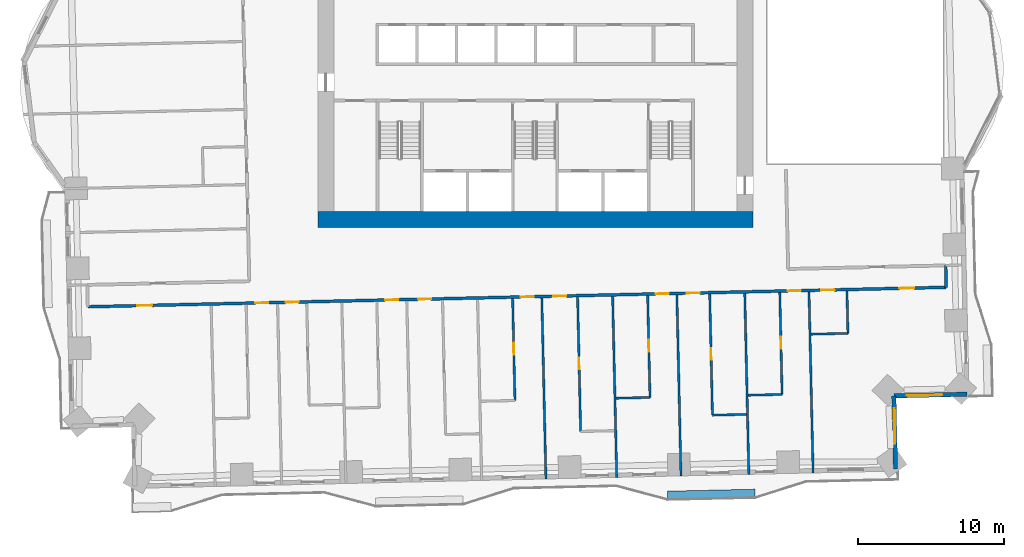
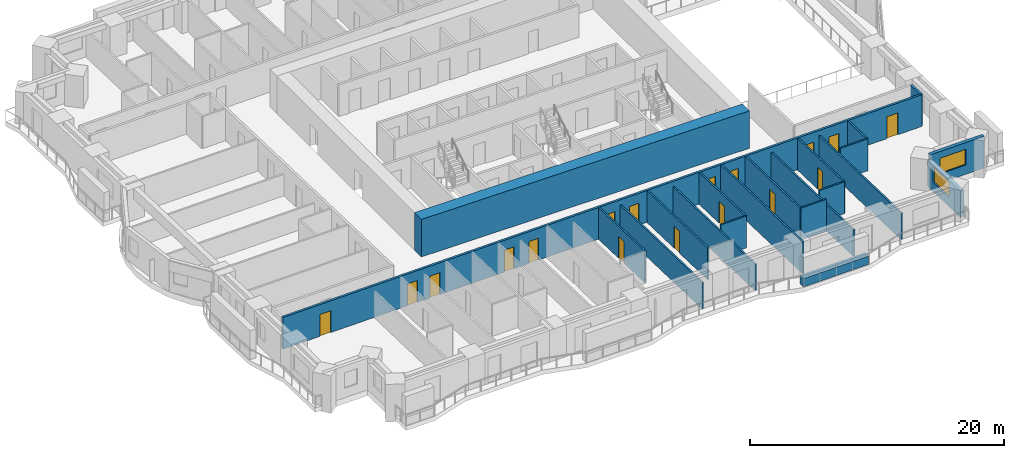
# One storey, part 7 of 16: 21 walls, 17 doors, 2 windows, 19 openings.
"""IFC4 building model written with IfcOpenShell, lengths in metres."""

from ifc_helpers import new_model, si_unit, direction, frame, frame_2d, origin, place, context, subcontext, project, spatial, rectangle, extrude, material, layer, layer_set, type_object, element, fill, save


model = new_model("IFC4")

# Units and contexts
model_context = context("Model", 3, precision=1e-05, world=origin(), true_north=direction((0.0, 1.0)))
body_context = subcontext(model_context, "Body", "Model", "MODEL_VIEW")
ifc_project = project(units=[si_unit("LENGTHUNIT", "METRE"), si_unit("AREAUNIT", "SQUARE_METRE"), si_unit("VOLUMEUNIT", "CUBIC_METRE"), si_unit("PLANEANGLEUNIT", "RADIAN"), si_unit("MASSUNIT", "GRAM", prefix="KILO")], contexts=[model_context])

# Site, building, storey
site_placement = place(None, origin())
site = spatial("IfcSite", under=ifc_project, at=site_placement, CompositionType="ELEMENT")
building_placement = place(site_placement, origin())
building = spatial("IfcBuilding", under=site, at=building_placement, Name="Mangrove Gate Tower", CompositionType="ELEMENT")
storey_placement = place(building_placement, frame((0.0, 0.0, 41.300048828125)))
storey = spatial("IfcBuildingStorey", under=building, at=storey_placement, Name="L09", CompositionType="ELEMENT", Elevation=41.300048828125)

# Wall
ifc_material_1 = material(Name="Concrete C70/85", Category="concrete")
ifc_layer_1 = layer(ifc_material_1, 1.10009765625)
ifc_layer_set_1 = layer_set([ifc_layer_1], Name="Core wall 1100 C70/85")
wall_type_1 = type_object("IfcWallType", Name="Core wall 1100 C70/85", PredefinedType="SHEAR", material=ifc_layer_set_1)
wall_1_placement = place(storey_placement, frame((-14.89990234375, -11.35009765625, 0.0), z_axis=(0.0, 0.0, 1.0), x_axis=(1.0, 0.0, 0.0)))
element("IfcWall", 1, at=wall_1_placement, inside=storey, type_object=wall_type_1, Name="WALL-L09-CORE-1", PredefinedType="SHEAR", context=body_context, shape_type="SweptSolid", body=[
    extrude(rectangle(XDim=29.7998046875, YDim=1.10009765625, at=frame_2d((14.89990234375, 0.0))), origin(), (0.0, 0.0, 1.0), 3.599853515625),
])

# Wall, openings, doors
ifc_material_2 = material(Name="Gypsum board on steel stud, EI 60", Category="steel")
ifc_layer_2 = layer(ifc_material_2, 0.199951171875)
ifc_layer_set_2 = layer_set([ifc_layer_2], Name="Corridor wall EI 60")
wall_type_2 = type_object("IfcWallType", Name="Corridor wall EI 60", PredefinedType="PARTITIONING", material=ifc_layer_set_2)
wall_2_placement = place(storey_placement, frame((-30.652099609375, -17.31298828125, 0.0), z_axis=(0.0, 0.0, 1.0), x_axis=(0.999742623764, 0.02268669719, 0.0)))
wall_2 = element("IfcWall", 2, at=wall_2_placement, inside=storey, type_object=wall_type_2, Name="WALL-L09-031", PredefinedType="PARTITIONING", context=body_context, shape_type="SweptSolid", body=[
    extrude(rectangle(XDim=58.80029296875, YDim=0.199951171875, at=frame_2d((29.400146484375, 0.0))), origin(), (0.0, 0.0, 1.0), 3.050048828125),
])
opening_1_placement = place(wall_2_placement, frame((3.406005859375, 0.0, 0.0)))
opening_1 = element("IfcOpeningElement", 3, at=opening_1_placement, cuts=wall_2, Name="Opening AD", PredefinedType="OPENING", context=body_context, shape_type="SweptSolid", body=[
    extrude(rectangle(XDim=1.0, YDim=2.10009765625, at=frame_2d((0.5, 1.050048828125))), frame((0.0, 0.10986328125, 0.0), z_axis=(0.0, -1.0, 0.0), x_axis=(1.0, 0.0, 0.0)), (0.0, 0.0, 1.0), 0.219970703125),
])
opening_2_placement = place(wall_2_placement, frame((11.47509765625, 0.0, 0.0)))
opening_2 = element("IfcOpeningElement", 4, at=opening_2_placement, cuts=wall_2, Name="Opening BD", PredefinedType="OPENING", context=body_context, shape_type="SweptSolid", body=[
    extrude(rectangle(XDim=0.89990234375, YDim=2.10009765625, at=frame_2d((0.449951171875, 1.050048828125))), frame((0.0, 0.10986328125, 0.0), z_axis=(0.0, -1.0, 0.0), x_axis=(1.0, 0.0, 0.0)), (0.0, 0.0, 1.0), 0.219970703125),
])
opening_3_placement = place(wall_2_placement, frame((13.550048828125, 0.0, 0.0)))
opening_3 = element("IfcOpeningElement", 5, at=opening_3_placement, cuts=wall_2, Name="Opening BD", PredefinedType="OPENING", context=body_context, shape_type="SweptSolid", body=[
    extrude(rectangle(XDim=0.89990234375, YDim=2.10009765625, at=frame_2d((0.449951171875, 1.050048828125))), frame((0.0, 0.10986328125, 0.0), z_axis=(0.0, -1.0, 0.0), x_axis=(1.0, 0.0, 0.0)), (0.0, 0.0, 1.0), 0.219970703125),
])
opening_4_placement = place(wall_2_placement, frame((20.375, 0.0, 0.0)))
opening_4 = element("IfcOpeningElement", 6, at=opening_4_placement, cuts=wall_2, Name="Opening BD", PredefinedType="OPENING", context=body_context, shape_type="SweptSolid", body=[
    extrude(rectangle(XDim=0.89990234375, YDim=2.10009765625, at=frame_2d((0.449951171875, 1.050048828125))), frame((0.0, 0.10986328125, 0.0), z_axis=(0.0, -1.0, 0.0), x_axis=(1.0, 0.0, 0.0)), (0.0, 0.0, 1.0), 0.219970703125),
])
opening_5_placement = place(wall_2_placement, frame((22.625, 0.0, 0.0)))
opening_5 = element("IfcOpeningElement", 7, at=opening_5_placement, cuts=wall_2, Name="Opening BD", PredefinedType="OPENING", context=body_context, shape_type="SweptSolid", body=[
    extrude(rectangle(XDim=0.89990234375, YDim=2.10009765625, at=frame_2d((0.449951171875, 1.050048828125))), frame((0.0, 0.10986328125, 0.0), z_axis=(0.0, -1.0, 0.0), x_axis=(1.0, 0.0, 0.0)), (0.0, 0.0, 1.0), 0.219970703125),
])
opening_6_placement = place(wall_2_placement, frame((29.64990234375, 0.0, 0.0)))
opening_6 = element("IfcOpeningElement", 8, at=opening_6_placement, cuts=wall_2, Name="Opening BD", PredefinedType="OPENING", context=body_context, shape_type="SweptSolid", body=[
    extrude(rectangle(XDim=0.89990234375, YDim=2.10009765625, at=frame_2d((0.449951171875, 1.050048828125))), frame((0.0, 0.10986328125, 0.0), z_axis=(0.0, -1.0, 0.0), x_axis=(1.0, 0.0, 0.0)), (0.0, 0.0, 1.0), 0.219970703125),
])
opening_7_placement = place(wall_2_placement, frame((31.875, 0.0, 0.0)))
opening_7 = element("IfcOpeningElement", 9, at=opening_7_placement, cuts=wall_2, Name="Opening BD", PredefinedType="OPENING", context=body_context, shape_type="SweptSolid", body=[
    extrude(rectangle(XDim=0.89990234375, YDim=2.10009765625, at=frame_2d((0.449951171875, 1.050048828125))), frame((0.0, 0.10986328125, 0.0), z_axis=(0.0, -1.0, 0.0), x_axis=(1.0, 0.0, 0.0)), (0.0, 0.0, 1.0), 0.219970703125),
])
opening_8_placement = place(wall_2_placement, frame((38.89990234375, 0.0, 0.0)))
opening_8 = element("IfcOpeningElement", 10, at=opening_8_placement, cuts=wall_2, Name="Opening BD", PredefinedType="OPENING", context=body_context, shape_type="SweptSolid", body=[
    extrude(rectangle(XDim=0.89990234375, YDim=2.10009765625, at=frame_2d((0.449951171875, 1.050048828125))), frame((0.0, 0.10986328125, 0.0), z_axis=(0.0, -1.0, 0.0), x_axis=(1.0, 0.0, 0.0)), (0.0, 0.0, 1.0), 0.219970703125),
])
opening_9_placement = place(wall_2_placement, frame((41.02490234375, 0.0, 0.0)))
opening_9 = element("IfcOpeningElement", 11, at=opening_9_placement, cuts=wall_2, Name="Opening BD", PredefinedType="OPENING", context=body_context, shape_type="SweptSolid", body=[
    extrude(rectangle(XDim=0.89990234375, YDim=2.10009765625, at=frame_2d((0.449951171875, 1.050048828125))), frame((0.0, 0.10986328125, 0.0), z_axis=(0.0, -1.0, 0.0), x_axis=(1.0, 0.0, 0.0)), (0.0, 0.0, 1.0), 0.219970703125),
])
opening_10_placement = place(wall_2_placement, frame((47.949951171875, 0.0, 0.0)))
opening_10 = element("IfcOpeningElement", 12, at=opening_10_placement, cuts=wall_2, Name="Opening BD", PredefinedType="OPENING", context=body_context, shape_type="SweptSolid", body=[
    extrude(rectangle(XDim=0.89990234375, YDim=2.10009765625, at=frame_2d((0.449951171875, 1.050048828125))), frame((0.0, 0.10986328125, 0.0), z_axis=(0.0, -1.0, 0.0), x_axis=(1.0, 0.0, 0.0)), (0.0, 0.0, 1.0), 0.219970703125),
])
opening_11_placement = place(wall_2_placement, frame((55.60009765625, 0.0, 0.0)))
opening_11 = element("IfcOpeningElement", 13, at=opening_11_placement, cuts=wall_2, Name="Opening AD", PredefinedType="OPENING", context=body_context, shape_type="SweptSolid", body=[
    extrude(rectangle(XDim=1.0, YDim=2.10009765625, at=frame_2d((0.5, 1.050048828125))), frame((0.0, 0.10986328125, 0.0), z_axis=(0.0, -1.0, 0.0), x_axis=(1.0, 0.0, 0.0)), (0.0, 0.0, 1.0), 0.219970703125),
])
opening_12_placement = place(wall_2_placement, frame((50.25, 0.0, 0.0)))
opening_12 = element("IfcOpeningElement", 14, at=opening_12_placement, cuts=wall_2, Name="Opening SD", PredefinedType="OPENING", context=body_context, shape_type="SweptSolid", body=[
    extrude(rectangle(XDim=0.89990234375, YDim=2.10009765625, at=frame_2d((0.449951171875, 1.050048828125))), frame((0.0, 0.10986328125, 0.0), z_axis=(0.0, -1.0, 0.0), x_axis=(1.0, 0.0, 0.0)), (0.0, 0.0, 1.0), 0.219970703125),
])
ifc_material_3 = material(Name="Timber door leaf", Category="wood")
door_type_1 = type_object("IfcDoorType", Name="Amenity door 1000", OperationType="SINGLE_SWING_LEFT", PredefinedType="DOOR", material=ifc_material_3)
door_1_placement = place(opening_1_placement, origin())
door_1 = element("IfcDoor", 15, at=door_1_placement, inside=storey, type_object=door_type_1, Name="DOOR-L09-KIT-c1a", OperationType="SINGLE_SWING_LEFT", OverallHeight=2.10009765625, OverallWidth=1.0, PredefinedType="DOOR", context=body_context, shape_type="SweptSolid", body=[
    extrude(rectangle(XDim=1.0, YDim=2.10009765625, at=frame_2d((0.5, 1.050048828125))), frame((0.0, 0.02490234375, 0.0), z_axis=(0.0, -1.0, 0.0), x_axis=(1.0, 0.0, 0.0)), (0.0, 0.0, 1.0), 0.050048828125),
])
fill(opening_1, door_1)
door_2_placement = place(opening_11_placement, origin())
door_2 = element("IfcDoor", 16, at=door_2_placement, inside=storey, type_object=door_type_1, Name="DOOR-L09-GAM-c3a", OperationType="SINGLE_SWING_RIGHT", OverallHeight=2.10009765625, OverallWidth=1.0, PredefinedType="DOOR", context=body_context, shape_type="SweptSolid", body=[
    extrude(rectangle(XDim=1.0, YDim=2.10009765625, at=frame_2d((0.5, 1.050048828125))), frame((0.0, 0.02490234375, 0.0), z_axis=(0.0, -1.0, 0.0), x_axis=(1.0, 0.0, 0.0)), (0.0, 0.0, 1.0), 0.050048828125),
])
fill(opening_11, door_2)
ifc_material_4 = material(Name="Timber door leaf", Category="wood")
door_type_2 = type_object("IfcDoorType", Name="Bedroom door 900", OperationType="SINGLE_SWING_LEFT", PredefinedType="DOOR", material=ifc_material_4)
door_3_placement = place(opening_2_placement, origin())
door_3 = element("IfcDoor", 17, at=door_3_placement, inside=storey, type_object=door_type_2, Name="DOOR-L09-BED-c101", OperationType="SINGLE_SWING_LEFT", OverallHeight=2.10009765625, OverallWidth=0.89990234375, PredefinedType="DOOR", context=body_context, shape_type="SweptSolid", body=[
    extrude(rectangle(XDim=0.89990234375, YDim=2.10009765625, at=frame_2d((0.449951171875, 1.050048828125))), frame((0.0, 0.02490234375, 0.0), z_axis=(0.0, -1.0, 0.0), x_axis=(1.0, 0.0, 0.0)), (0.0, 0.0, 1.0), 0.050048828125),
])
fill(opening_2, door_3)
door_4_placement = place(opening_3_placement, origin())
door_4 = element("IfcDoor", 18, at=door_4_placement, inside=storey, type_object=door_type_2, Name="DOOR-L09-BED-c102", OperationType="SINGLE_SWING_RIGHT", OverallHeight=2.10009765625, OverallWidth=0.89990234375, PredefinedType="DOOR", context=body_context, shape_type="SweptSolid", body=[
    extrude(rectangle(XDim=0.89990234375, YDim=2.10009765625, at=frame_2d((0.449951171875, 1.050048828125))), frame((0.0, 0.02490234375, 0.0), z_axis=(0.0, -1.0, 0.0), x_axis=(1.0, 0.0, 0.0)), (0.0, 0.0, 1.0), 0.050048828125),
])
fill(opening_3, door_4)
door_5_placement = place(opening_4_placement, origin())
door_5 = element("IfcDoor", 19, at=door_5_placement, inside=storey, type_object=door_type_2, Name="DOOR-L09-BED-c103", OperationType="SINGLE_SWING_LEFT", OverallHeight=2.10009765625, OverallWidth=0.89990234375, PredefinedType="DOOR", context=body_context, shape_type="SweptSolid", body=[
    extrude(rectangle(XDim=0.89990234375, YDim=2.10009765625, at=frame_2d((0.449951171875, 1.050048828125))), frame((0.0, 0.02490234375, 0.0), z_axis=(0.0, -1.0, 0.0), x_axis=(1.0, 0.0, 0.0)), (0.0, 0.0, 1.0), 0.050048828125),
])
fill(opening_4, door_5)
door_6_placement = place(opening_5_placement, origin())
door_6 = element("IfcDoor", 20, at=door_6_placement, inside=storey, type_object=door_type_2, Name="DOOR-L09-BED-c104", OperationType="SINGLE_SWING_RIGHT", OverallHeight=2.10009765625, OverallWidth=0.89990234375, PredefinedType="DOOR", context=body_context, shape_type="SweptSolid", body=[
    extrude(rectangle(XDim=0.89990234375, YDim=2.10009765625, at=frame_2d((0.449951171875, 1.050048828125))), frame((0.0, 0.02490234375, 0.0), z_axis=(0.0, -1.0, 0.0), x_axis=(1.0, 0.0, 0.0)), (0.0, 0.0, 1.0), 0.050048828125),
])
fill(opening_5, door_6)
door_7_placement = place(opening_6_placement, origin())
door_7 = element("IfcDoor", 21, at=door_7_placement, inside=storey, type_object=door_type_2, Name="DOOR-L09-BED-c205", OperationType="SINGLE_SWING_LEFT", OverallHeight=2.10009765625, OverallWidth=0.89990234375, PredefinedType="DOOR", context=body_context, shape_type="SweptSolid", body=[
    extrude(rectangle(XDim=0.89990234375, YDim=2.10009765625, at=frame_2d((0.449951171875, 1.050048828125))), frame((0.0, 0.02490234375, 0.0), z_axis=(0.0, -1.0, 0.0), x_axis=(1.0, 0.0, 0.0)), (0.0, 0.0, 1.0), 0.050048828125),
])
fill(opening_6, door_7)
door_8_placement = place(opening_7_placement, origin())
door_8 = element("IfcDoor", 22, at=door_8_placement, inside=storey, type_object=door_type_2, Name="DOOR-L09-BED-c206", OperationType="SINGLE_SWING_RIGHT", OverallHeight=2.10009765625, OverallWidth=0.89990234375, PredefinedType="DOOR", context=body_context, shape_type="SweptSolid", body=[
    extrude(rectangle(XDim=0.89990234375, YDim=2.10009765625, at=frame_2d((0.449951171875, 1.050048828125))), frame((0.0, 0.02490234375, 0.0), z_axis=(0.0, -1.0, 0.0), x_axis=(1.0, 0.0, 0.0)), (0.0, 0.0, 1.0), 0.050048828125),
])
fill(opening_7, door_8)
door_9_placement = place(opening_8_placement, origin())
door_9 = element("IfcDoor", 23, at=door_9_placement, inside=storey, type_object=door_type_2, Name="DOOR-L09-BED-c207", OperationType="SINGLE_SWING_LEFT", OverallHeight=2.10009765625, OverallWidth=0.89990234375, PredefinedType="DOOR", context=body_context, shape_type="SweptSolid", body=[
    extrude(rectangle(XDim=0.89990234375, YDim=2.10009765625, at=frame_2d((0.449951171875, 1.050048828125))), frame((0.0, 0.02490234375, 0.0), z_axis=(0.0, -1.0, 0.0), x_axis=(1.0, 0.0, 0.0)), (0.0, 0.0, 1.0), 0.050048828125),
])
fill(opening_8, door_9)
door_10_placement = place(opening_9_placement, origin())
door_10 = element("IfcDoor", 24, at=door_10_placement, inside=storey, type_object=door_type_2, Name="DOOR-L09-BED-c208", OperationType="SINGLE_SWING_RIGHT", OverallHeight=2.10009765625, OverallWidth=0.89990234375, PredefinedType="DOOR", context=body_context, shape_type="SweptSolid", body=[
    extrude(rectangle(XDim=0.89990234375, YDim=2.10009765625, at=frame_2d((0.449951171875, 1.050048828125))), frame((0.0, 0.02490234375, 0.0), z_axis=(0.0, -1.0, 0.0), x_axis=(1.0, 0.0, 0.0)), (0.0, 0.0, 1.0), 0.050048828125),
])
fill(opening_9, door_10)
door_11_placement = place(opening_10_placement, origin())
door_11 = element("IfcDoor", 25, at=door_11_placement, inside=storey, type_object=door_type_2, Name="DOOR-L09-BED-c309", OperationType="SINGLE_SWING_LEFT", OverallHeight=2.10009765625, OverallWidth=0.89990234375, PredefinedType="DOOR", context=body_context, shape_type="SweptSolid", body=[
    extrude(rectangle(XDim=0.89990234375, YDim=2.10009765625, at=frame_2d((0.449951171875, 1.050048828125))), frame((0.0, 0.02490234375, 0.0), z_axis=(0.0, -1.0, 0.0), x_axis=(1.0, 0.0, 0.0)), (0.0, 0.0, 1.0), 0.050048828125),
])
fill(opening_10, door_11)
ifc_material_5 = material(Name="Timber door leaf", Category="wood")
door_type_3 = type_object("IfcDoorType", Name="Service room door 900", OperationType="SINGLE_SWING_LEFT", PredefinedType="DOOR", material=ifc_material_5)
door_12_placement = place(opening_12_placement, origin())
door_12 = element("IfcDoor", 26, at=door_12_placement, inside=storey, type_object=door_type_3, Name="DOOR-L09-AWC-c3a", OperationType="SINGLE_SWING_LEFT", OverallHeight=2.10009765625, OverallWidth=0.89990234375, PredefinedType="DOOR", context=body_context, shape_type="SweptSolid", body=[
    extrude(rectangle(XDim=0.89990234375, YDim=2.10009765625, at=frame_2d((0.449951171875, 1.050048828125))), frame((0.0, 0.02490234375, 0.0), z_axis=(0.0, -1.0, 0.0), x_axis=(1.0, 0.0, 0.0)), (0.0, 0.0, 1.0), 0.050048828125),
])
fill(opening_12, door_12)

# Wall
wall_3_placement = place(storey_placement, frame((28.133056640625, -15.97900390625, 0.0), z_axis=(0.0, 0.0, 1.0), x_axis=(-0.022632637625, 0.99974384905, 0.0)))
element("IfcWall", 27, at=wall_3_placement, inside=storey, type_object=wall_type_2, Name="WALL-L09-033", PredefinedType="PARTITIONING", context=body_context, shape_type="SweptSolid", body=[
    extrude(rectangle(XDim=1.49951171875, YDim=0.199951171875, at=frame_2d((0.749755859375, 0.0))), origin(), (0.0, 0.0, 1.0), 3.050048828125),
])

# Wall, opening, window
ifc_material_6 = material(Name="Limestone", Category="masonry")
ifc_layer_3 = layer(ifc_material_6, 0.0400390625, Name="Limestone cladding")
ifc_material_7 = material(Name="Ventilated air gap")
ifc_layer_4 = layer(ifc_material_7, 0.0400390625, Name="Ventilated cavity")
ifc_material_8 = material(Name="Mineral wool insulation")
ifc_layer_5 = layer(ifc_material_8, 0.06005859375, Name="Insulation")
ifc_material_9 = material(Name="Breather membrane")
ifc_layer_6 = layer(ifc_material_9, 0.001953125, Name="Breather membrane")
ifc_material_10 = material(Name="Concrete C20/25 blockwork", Category="masonry")
ifc_layer_7 = layer(ifc_material_10, 0.14990234375, Name="Blockwork backing wall")
ifc_material_11 = material(Name="Gypsum plaster")
ifc_layer_8 = layer(ifc_material_11, 0.008056640625, Name="Internal plaster")
ifc_layer_set_3 = layer_set([ifc_layer_3, ifc_layer_4, ifc_layer_5, ifc_layer_6, ifc_layer_7, ifc_layer_8], Name="External wall 300 limestone cladding")
wall_type_3 = type_object("IfcWallType", Name="External wall 300 limestone cladding", PredefinedType="SOLIDWALL", material=ifc_layer_set_3)
wall_4_placement = place(storey_placement, frame((24.6640625, -28.410888671875, 0.0), z_axis=(0.0, 0.0, 1.0), x_axis=(-0.022802372469, 0.999739992103, 0.0)))
wall_4 = element("IfcWall", 28, at=wall_4_placement, inside=storey, type_object=wall_type_3, Name="WALL-L09-E14", PredefinedType="SOLIDWALL", context=body_context, shape_type="SweptSolid", body=[
    extrude(rectangle(XDim=5.0, YDim=0.300048828125, at=frame_2d((2.5, 0.0))), origin(), (0.0, 0.0, 1.0), 2.550048828125),
])
opening_13_placement = place(wall_4_placement, frame((1.735107421875, 0.0, 0.89990234375)))
opening_13 = element("IfcOpeningElement", 29, at=opening_13_placement, cuts=wall_4, Name="Opening W2", PredefinedType="OPENING", context=body_context, shape_type="SweptSolid", body=[
    extrude(rectangle(XDim=2.39990234375, YDim=1.5, at=frame_2d((1.199951171875, 0.75))), frame((0.0, 0.159912109375, 0.0), z_axis=(0.0, -1.0, 0.0), x_axis=(1.0, 0.0, 0.0)), (0.0, 0.0, 1.0), 0.320068359375),
])
ifc_material_12 = material(Name="Aluminium frame with double-glazed low-e glass", Category="aluminium")
window_type = type_object("IfcWindowType", Name="Corner room window 2400x1500", PartitioningType="DOUBLE_PANEL_VERTICAL", PredefinedType="WINDOW", material=ifc_material_12)
window_1_placement = place(opening_13_placement, origin())
window_1 = element("IfcWindow", 30, at=window_1_placement, inside=storey, type_object=window_type, Name="WIN-L09-E14-1", OverallHeight=1.5, OverallWidth=2.39990234375, PartitioningType="DOUBLE_PANEL_VERTICAL", PredefinedType="WINDOW", context=body_context, shape_type="SweptSolid", body=[
    extrude(rectangle(XDim=2.39990234375, YDim=1.5, at=frame_2d((1.199951171875, 0.75))), frame((0.0, 0.030029296875, 0.0), z_axis=(0.0, -1.0, 0.0), x_axis=(1.0, 0.0, 0.0)), (0.0, 0.0, 1.0), 0.06005859375),
])
fill(opening_13, window_1)

wall_5_placement = place(storey_placement, frame((24.550048828125, -23.412109375, 0.0), z_axis=(0.0, 0.0, 1.0), x_axis=(0.999744450377, 0.022606059803, 0.0)))
wall_5 = element("IfcWall", 31, at=wall_5_placement, inside=storey, type_object=wall_type_3, Name="WALL-L09-S15", PredefinedType="SOLIDWALL", context=body_context, shape_type="SweptSolid", body=[
    extrude(rectangle(XDim=5.000244140625, YDim=0.300048828125, at=frame_2d((2.5, 0.0))), origin(), (0.0, 0.0, 1.0), 3.050048828125),
])
opening_14_placement = place(wall_5_placement, frame((0.89697265625, 0.0, 0.89990234375)))
opening_14 = element("IfcOpeningElement", 32, at=opening_14_placement, cuts=wall_5, Name="Opening W2", PredefinedType="OPENING", context=body_context, shape_type="SweptSolid", body=[
    extrude(rectangle(XDim=2.39990234375, YDim=1.5, at=frame_2d((1.199951171875, 0.75))), frame((0.0, 0.159912109375, 0.0), z_axis=(0.0, -1.0, 0.0), x_axis=(1.0, 0.0, 0.0)), (0.0, 0.0, 1.0), 0.320068359375),
])
window_2_placement = place(opening_14_placement, origin())
window_2 = element("IfcWindow", 33, at=window_2_placement, inside=storey, type_object=window_type, Name="WIN-L09-S15-1", OverallHeight=1.5, OverallWidth=2.39990234375, PartitioningType="DOUBLE_PANEL_VERTICAL", PredefinedType="WINDOW", context=body_context, shape_type="SweptSolid", body=[
    extrude(rectangle(XDim=2.39990234375, YDim=1.5, at=frame_2d((1.199951171875, 0.75))), frame((0.0, 0.030029296875, 0.0), z_axis=(0.0, -1.0, 0.0), x_axis=(1.0, 0.0, 0.0)), (0.0, 0.0, 1.0), 0.06005859375),
])
fill(opening_14, window_2)

# Walls
ifc_material_13 = material(Name="Gypsum board on steel stud, EI 60", Category="steel")
ifc_layer_9 = layer(ifc_material_13, 0.14990234375)
ifc_layer_set_4 = layer_set([ifc_layer_9], Name="Party wall 150 EI 60")
wall_type_4 = type_object("IfcWallType", Name="Party wall 150 EI 60", PredefinedType="PARTITIONING", material=ifc_layer_set_4)
for number, where, z_axis, x_axis, name in (
    (34, (0.722900390625, -29.10400390625, 0.0), (0.0, 0.0, 1.0), (-0.022663260168, 0.999743155335, 0.0), "WALL-L09-006"),
    (35, (5.572021484375, -28.993896484375, 0.0), (0.0, 0.0, 1.0), (-0.022663260168, 0.999743155335, 0.0), "WALL-L09-007"),
):
    element("IfcWall", number, at=place(storey_placement, frame(where, z_axis=z_axis, x_axis=x_axis)), inside=storey, type_object=wall_type_4, Name=name, PredefinedType="PARTITIONING", context=body_context, shape_type="SweptSolid", body=[
        extrude(rectangle(XDim=12.399169921875, YDim=0.14990234375, at=frame_2d((6.19970703125, 0.0))), origin(), (0.0, 0.0, 1.0), 2.550048828125),
    ])
wall_6_placement = place(storey_placement, frame((9.970947265625, -28.89404296875, 0.0), z_axis=(0.0, 0.0, 1.0), x_axis=(-0.022663260168, 0.999743155335, 0.0)))
element("IfcWall", 36, at=wall_6_placement, inside=storey, type_object=wall_type_4, Name="WALL-L09-008", PredefinedType="PARTITIONING", context=body_context, shape_type="SweptSolid", body=[
    extrude(rectangle(XDim=12.399169921875, YDim=0.14990234375, at=frame_2d((6.19970703125, 0.0))), origin(), (0.0, 0.0, 1.0), 3.050048828125),
])
for number, where, z_axis, x_axis, name in (
    (37, (14.6201171875, -28.7890625, 0.0), (0.0, 0.0, 1.0), (-0.022661475803, 0.999743195783, 0.0), "WALL-L09-009"),
    (38, (19.01904296875, -28.68896484375, 0.0), (0.0, 0.0, 1.0), (-0.022740189192, 0.999741408463, 0.0), "WALL-L09-010"),
):
    element("IfcWall", number, at=place(storey_placement, frame(where, z_axis=z_axis, x_axis=x_axis)), inside=storey, type_object=wall_type_4, Name=name, PredefinedType="PARTITIONING", context=body_context, shape_type="SweptSolid", body=[
        extrude(rectangle(XDim=12.400146484375, YDim=0.14990234375, at=frame_2d((6.2001953125, 0.0))), origin(), (0.0, 0.0, 1.0), 2.550048828125),
    ])

# Wall, opening, door
wall_7_placement = place(storey_placement, frame((3.10009765625, -25.85009765625, 0.0), z_axis=(0.0, 0.0, 1.0), x_axis=(-0.022608685365, 0.999744391005, 0.0)))
wall_7 = element("IfcWall", 39, at=wall_7_placement, inside=storey, type_object=wall_type_4, Name="WALL-L09-014", PredefinedType="PARTITIONING", context=body_context, shape_type="SweptSolid", body=[
    extrude(rectangle(XDim=9.200439453125, YDim=0.14990234375, at=frame_2d((4.60009765625, 0.0))), origin(), (0.0, 0.0, 1.0), 3.050048828125),
])
opening_15_placement = place(wall_7_placement, frame((4.25, 0.0, 0.0)))
opening_15 = element("IfcOpeningElement", 40, at=opening_15_placement, cuts=wall_7, Name="Opening ED", PredefinedType="OPENING", context=body_context, shape_type="SweptSolid", body=[
    extrude(rectangle(XDim=0.800048828125, YDim=2.10009765625, at=frame_2d((0.39990234375, 1.050048828125))), frame((0.0, 0.0849609375, 0.0), z_axis=(0.0, -1.0, 0.0), x_axis=(1.0, 0.0, 0.0)), (0.0, 0.0, 1.0), 0.169921875),
])
ifc_material_14 = material(Name="Timber door leaf", Category="wood")
door_type_4 = type_object("IfcDoorType", Name="En-suite door 800", OperationType="SINGLE_SWING_LEFT", PredefinedType="DOOR", material=ifc_material_14)
door_13_placement = place(opening_15_placement, origin())
door_13 = element("IfcDoor", 41, at=door_13_placement, inside=storey, type_object=door_type_4, Name="DOOR-L09-ENS-c206", OperationType="SINGLE_SWING_RIGHT", OverallHeight=2.10009765625, OverallWidth=0.800048828125, PredefinedType="DOOR", context=body_context, shape_type="SweptSolid", body=[
    extrude(rectangle(XDim=0.800048828125, YDim=2.10009765625, at=frame_2d((0.39990234375, 1.050048828125))), frame((0.0, 0.02490234375, 0.0), z_axis=(0.0, -1.0, 0.0), x_axis=(1.0, 0.0, 0.0)), (0.0, 0.0, 1.0), 0.050048828125),
])
fill(opening_15, door_13)

# Wall
wall_8_placement = place(storey_placement, frame((12.126953125, -24.735107421875, 0.0), z_axis=(0.0, 0.0, 1.0), x_axis=(0.999738082346, 0.022885950011, 0.0)))
element("IfcWall", 42, at=wall_8_placement, inside=storey, type_object=wall_type_4, Name="WALL-L09-015", PredefinedType="PARTITIONING", context=body_context, shape_type="SweptSolid", body=[
    extrude(rectangle(XDim=2.325439453125, YDim=0.14990234375, at=frame_2d((1.16259765625, 0.0))), origin(), (0.0, 0.0, 1.0), 3.050048828125),
])

# Wall, opening, door
wall_9_placement = place(storey_placement, frame((12.126953125, -24.735107421875, 0.0), z_axis=(0.0, 0.0, 1.0), x_axis=(-0.022675916361, 0.99974286835, 0.0)))
wall_9 = element("IfcWall", 43, at=wall_9_placement, inside=storey, type_object=wall_type_4, Name="WALL-L09-016", PredefinedType="PARTITIONING", context=body_context, shape_type="SweptSolid", body=[
    extrude(rectangle(XDim=8.290283203125, YDim=0.14990234375, at=frame_2d((4.14501953125, 0.0))), origin(), (0.0, 0.0, 1.0), 3.050048828125),
])
opening_16_placement = place(wall_9_placement, frame((3.794921875, 0.0, 0.0)))
opening_16 = element("IfcOpeningElement", 44, at=opening_16_placement, cuts=wall_9, Name="Opening ED", PredefinedType="OPENING", context=body_context, shape_type="SweptSolid", body=[
    extrude(rectangle(XDim=0.800048828125, YDim=2.10009765625, at=frame_2d((0.39990234375, 1.050048828125))), frame((0.0, 0.0849609375, 0.0), z_axis=(0.0, -1.0, 0.0), x_axis=(1.0, 0.0, 0.0)), (0.0, 0.0, 1.0), 0.169921875),
])
door_14_placement = place(opening_16_placement, origin())
door_14 = element("IfcDoor", 45, at=door_14_placement, inside=storey, type_object=door_type_4, Name="DOOR-L09-ENS-c208", OperationType="SINGLE_SWING_RIGHT", OverallHeight=2.10009765625, OverallWidth=0.800048828125, PredefinedType="DOOR", context=body_context, shape_type="SweptSolid", body=[
    extrude(rectangle(XDim=0.800048828125, YDim=2.10009765625, at=frame_2d((0.39990234375, 1.050048828125))), frame((0.0, 0.02490234375, 0.0), z_axis=(0.0, -1.0, 0.0), x_axis=(1.0, 0.0, 0.0)), (0.0, 0.0, 1.0), 0.050048828125),
])
fill(opening_16, door_14)

wall_10_placement = place(storey_placement, frame((-1.39892578125, -23.73095703125, 0.0), z_axis=(0.0, 0.0, 1.0), x_axis=(-0.022630826984, 0.999743890039, 0.0)))
wall_10 = element("IfcWall", 46, at=wall_10_placement, inside=storey, type_object=wall_type_4, Name="WALL-L09-024", PredefinedType="PARTITIONING", context=body_context, shape_type="SweptSolid", body=[
    extrude(rectangle(XDim=6.979736328125, YDim=0.14990234375, at=frame_2d((3.48974609375, 0.0))), origin(), (0.0, 0.0, 1.0), 3.050048828125),
])
opening_17_placement = place(wall_10_placement, frame((3.139892578125, 0.0, 0.0)))
opening_17 = element("IfcOpeningElement", 47, at=opening_17_placement, cuts=wall_10, Name="Opening ED", PredefinedType="OPENING", context=body_context, shape_type="SweptSolid", body=[
    extrude(rectangle(XDim=0.800048828125, YDim=2.10009765625, at=frame_2d((0.39990234375, 1.050048828125))), frame((0.0, 0.0849609375, 0.0), z_axis=(0.0, -1.0, 0.0), x_axis=(1.0, 0.0, 0.0)), (0.0, 0.0, 1.0), 0.169921875),
])
door_15_placement = place(opening_17_placement, origin())
door_15 = element("IfcDoor", 48, at=door_15_placement, inside=storey, type_object=door_type_4, Name="DOOR-L09-ENS-c205", OperationType="SINGLE_SWING_LEFT", OverallHeight=2.10009765625, OverallWidth=0.800048828125, PredefinedType="DOOR", context=body_context, shape_type="SweptSolid", body=[
    extrude(rectangle(XDim=0.800048828125, YDim=2.10009765625, at=frame_2d((0.39990234375, 1.050048828125))), frame((0.0, 0.02490234375, 0.0), z_axis=(0.0, -1.0, 0.0), x_axis=(1.0, 0.0, 0.0)), (0.0, 0.0, 1.0), 0.050048828125),
])
fill(opening_17, door_15)

# Wall
wall_11_placement = place(storey_placement, frame((5.52392578125, -23.573974609375, 0.0), z_axis=(0.0, 0.0, 1.0), x_axis=(0.99974053329, 0.022778632478, 0.0)))
element("IfcWall", 49, at=wall_11_placement, inside=storey, type_object=wall_type_4, Name="WALL-L09-025", PredefinedType="PARTITIONING", context=body_context, shape_type="SweptSolid", body=[
    extrude(rectangle(XDim=2.32568359375, YDim=0.14990234375, at=frame_2d((1.162841796875, 0.0))), origin(), (0.0, 0.0, 1.0), 3.050048828125),
])

# Wall, opening, door
wall_12_placement = place(storey_placement, frame((7.84912109375, -23.52099609375, 0.0), z_axis=(0.0, 0.0, 1.0), x_axis=(-0.022805626844, 0.999739917871, 0.0)))
wall_12 = element("IfcWall", 50, at=wall_12_placement, inside=storey, type_object=wall_type_4, Name="WALL-L09-026", PredefinedType="PARTITIONING", context=body_context, shape_type="SweptSolid", body=[
    extrude(rectangle(XDim=6.979736328125, YDim=0.14990234375, at=frame_2d((3.48974609375, 0.0))), origin(), (0.0, 0.0, 1.0), 3.050048828125),
])
opening_18_placement = place(wall_12_placement, frame((3.139892578125, 0.0, 0.0)))
opening_18 = element("IfcOpeningElement", 51, at=opening_18_placement, cuts=wall_12, Name="Opening ED", PredefinedType="OPENING", context=body_context, shape_type="SweptSolid", body=[
    extrude(rectangle(XDim=0.800048828125, YDim=2.10009765625, at=frame_2d((0.39990234375, 1.050048828125))), frame((0.0, 0.0849609375, 0.0), z_axis=(0.0, -1.0, 0.0), x_axis=(1.0, 0.0, 0.0)), (0.0, 0.0, 1.0), 0.169921875),
])
door_16_placement = place(opening_18_placement, origin())
door_16 = element("IfcDoor", 52, at=door_16_placement, inside=storey, type_object=door_type_4, Name="DOOR-L09-ENS-c207", OperationType="SINGLE_SWING_LEFT", OverallHeight=2.10009765625, OverallWidth=0.800048828125, PredefinedType="DOOR", context=body_context, shape_type="SweptSolid", body=[
    extrude(rectangle(XDim=0.800048828125, YDim=2.10009765625, at=frame_2d((0.39990234375, 1.050048828125))), frame((0.0, 0.02490234375, 0.0), z_axis=(0.0, -1.0, 0.0), x_axis=(1.0, 0.0, 0.0)), (0.0, 0.0, 1.0), 0.050048828125),
])
fill(opening_18, door_16)

# Wall
wall_13_placement = place(storey_placement, frame((14.572021484375, -23.368896484375, 0.0), z_axis=(0.0, 0.0, 1.0), x_axis=(0.999740260747, 0.02279059109, 0.0)))
element("IfcWall", 53, at=wall_13_placement, inside=storey, type_object=wall_type_4, Name="WALL-L09-027", PredefinedType="PARTITIONING", context=body_context, shape_type="SweptSolid", body=[
    extrude(rectangle(XDim=2.324462890625, YDim=0.14990234375, at=frame_2d((1.162109375, 0.0))), origin(), (0.0, 0.0, 1.0), 3.050048828125),
])

# Wall, opening, door
wall_14_placement = place(storey_placement, frame((16.89599609375, -23.31591796875, 0.0), z_axis=(0.0, 0.0, 1.0), x_axis=(-0.022630826984, 0.999743890039, 0.0)))
wall_14 = element("IfcWall", 54, at=wall_14_placement, inside=storey, type_object=wall_type_4, Name="WALL-L09-028", PredefinedType="PARTITIONING", context=body_context, shape_type="SweptSolid", body=[
    extrude(rectangle(XDim=6.979736328125, YDim=0.14990234375, at=frame_2d((3.48974609375, 0.0))), origin(), (0.0, 0.0, 1.0), 3.050048828125),
])
opening_19_placement = place(wall_14_placement, frame((3.139892578125, 0.0, 0.0)))
opening_19 = element("IfcOpeningElement", 55, at=opening_19_placement, cuts=wall_14, Name="Opening ED", PredefinedType="OPENING", context=body_context, shape_type="SweptSolid", body=[
    extrude(rectangle(XDim=0.800048828125, YDim=2.10009765625, at=frame_2d((0.39990234375, 1.050048828125))), frame((0.0, 0.0849609375, 0.0), z_axis=(0.0, -1.0, 0.0), x_axis=(1.0, 0.0, 0.0)), (0.0, 0.0, 1.0), 0.169921875),
])
door_17_placement = place(opening_19_placement, origin())
door_17 = element("IfcDoor", 56, at=door_17_placement, inside=storey, type_object=door_type_4, Name="DOOR-L09-ENS-c309", OperationType="SINGLE_SWING_LEFT", OverallHeight=2.10009765625, OverallWidth=0.800048828125, PredefinedType="DOOR", context=body_context, shape_type="SweptSolid", body=[
    extrude(rectangle(XDim=0.800048828125, YDim=2.10009765625, at=frame_2d((0.39990234375, 1.050048828125))), frame((0.0, 0.02490234375, 0.0), z_axis=(0.0, -1.0, 0.0), x_axis=(1.0, 0.0, 0.0)), (0.0, 0.0, 1.0), 0.050048828125),
])
fill(opening_19, door_17)

# Walls
wall_15_placement = place(storey_placement, frame((18.8779296875, -19.18994140625, 0.0), z_axis=(0.0, 0.0, 1.0), x_axis=(0.999746356616, 0.022521599255, 0.0)))
element("IfcWall", 57, at=wall_15_placement, inside=storey, type_object=wall_type_4, Name="WALL-L09-029", PredefinedType="PARTITIONING", context=body_context, shape_type="SweptSolid", body=[
    extrude(rectangle(XDim=2.52587890625, YDim=0.14990234375, at=frame_2d((1.262939453125, 0.0))), origin(), (0.0, 0.0, 1.0), 3.050048828125),
])
wall_16_placement = place(storey_placement, frame((21.403076171875, -19.133056640625, 0.0), z_axis=(0.0, 0.0, 1.0), x_axis=(-0.022807433839, 0.999739876649, 0.0)))
element("IfcWall", 58, at=wall_16_placement, inside=storey, type_object=wall_type_4, Name="WALL-L09-030", PredefinedType="PARTITIONING", context=body_context, shape_type="SweptSolid", body=[
    extrude(rectangle(XDim=2.90087890625, YDim=0.14990234375, at=frame_2d((1.450439453125, 0.0))), origin(), (0.0, 0.0, 1.0), 3.050048828125),
])
ifc_material_15 = material(Name="Concrete C32/40", Category="concrete")
ifc_layer_10 = layer(ifc_material_15, 0.199951171875, Name="Planter trough wall")
ifc_material_16 = material(Name="Bituminous waterproofing membrane")
ifc_layer_11 = layer(ifc_material_16, 0.0048828125, Name="Waterproofing")
ifc_material_17 = material(Name="Drainage board and gravel")
ifc_layer_12 = layer(ifc_material_17, 0.044921875, Name="Drainage layer")
ifc_material_18 = material(Name="Planting soil")
ifc_layer_13 = layer(ifc_material_18, 0.300048828125, Name="Growing medium")
ifc_layer_set_5 = layer_set([ifc_layer_10, ifc_layer_11, ifc_layer_12, ifc_layer_13], Name="Planter wall 550 C32/40")
wall_type_5 = type_object("IfcWallType", Name="Planter wall 550 C32/40", PredefinedType="USERDEFINED", material=ifc_layer_set_5)
wall_17_placement = place(storey_placement, frame((9.050048828125, -30.215087890625, 0.0), z_axis=(0.0, 0.0, 1.0), x_axis=(0.999743178102, 0.022662255828, 0.0)))
element("IfcWall", 59, at=wall_17_placement, inside=storey, type_object=wall_type_5, Name="PLANTER L09 S1.1", ObjectType="PLANTER", PredefinedType="USERDEFINED", context=body_context, shape_type="SweptSolid", body=[
    extrude(rectangle(XDim=6.00048828125, YDim=0.550048828125, at=frame_2d((3.000244140625, 0.0))), origin(), (0.0, 0.0, 1.0), 0.800048828125),
])

save(model, "model.ifc")
